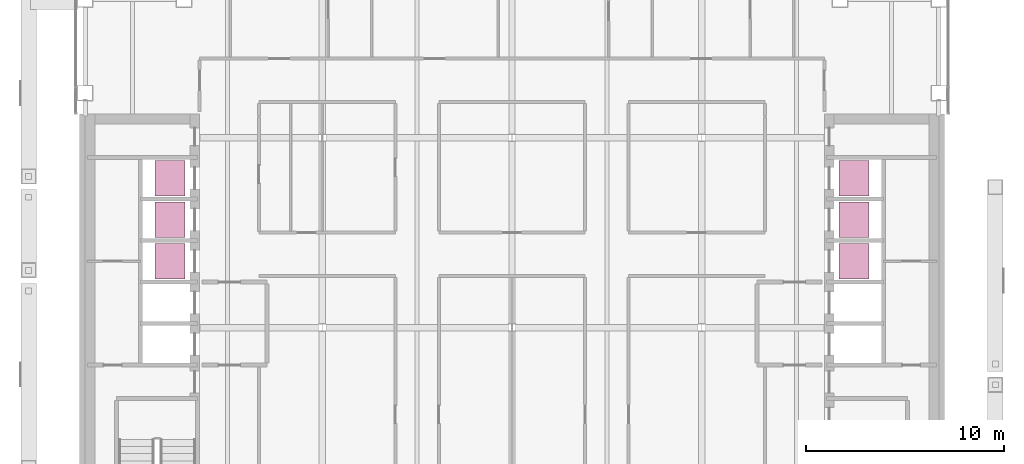
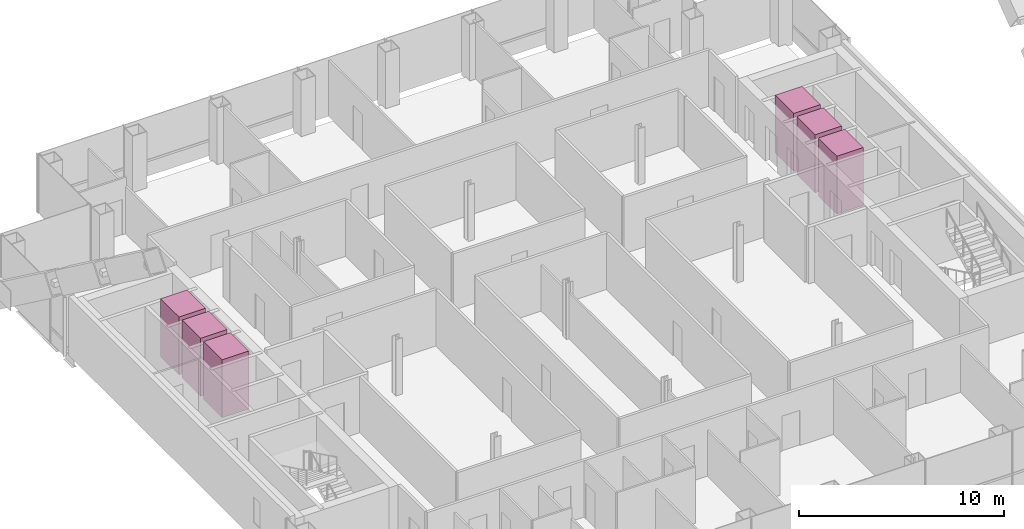
# One storey, part 17 of 17: 6 transport elements.
"""IFC4 building model written with IfcOpenShell, lengths in metres."""

from ifc_helpers import new_model, si_unit, direction, frame, origin, origin_2d, place, context, subcontext, project, spatial, rectangle, extrude, material, type_object, element, save


model = new_model("IFC4")

# Units and contexts
model_context = context("Model", 3, precision=1e-05, world=origin(), true_north=direction((0.0, 1.0)))
body_context = subcontext(model_context, "Body", "Model", "MODEL_VIEW")
ifc_project = project(units=[si_unit("LENGTHUNIT", "METRE"), si_unit("AREAUNIT", "SQUARE_METRE"), si_unit("VOLUMEUNIT", "CUBIC_METRE"), si_unit("PLANEANGLEUNIT", "RADIAN"), si_unit("MASSUNIT", "GRAM", prefix="KILO")], contexts=[model_context])

# Site, building, storey
site_placement = place(None, origin())
site = spatial("IfcSite", under=ifc_project, at=site_placement, CompositionType="ELEMENT")
building_placement = place(site_placement, origin())
building = spatial("IfcBuilding", under=site, at=building_placement, Name="Cobrizo Arcos Hotel Tower", CompositionType="ELEMENT")
storey_placement = place(building_placement, frame((0.0, 0.0, 151.5)))
storey = spatial("IfcBuildingStorey", under=building, at=storey_placement, Name="L38", CompositionType="ELEMENT", Elevation=151.5)

# Transport elements
ifc_material = material(Name="Stainless steel car", Category="steel")
transport_element_type = type_object("IfcTransportElementType", Name="Lift car High 1.8x1.5", PredefinedType="ELEVATOR", material=ifc_material)
for number, where, z_axis, x_axis, name in (
    (1, (-17.300048828125, 3.35009765625, 0.0), (0.0, 0.0, 1.0), (1.0, 0.0, 0.0), "High-rise passenger lift W1"),
    (2, (-17.300048828125, 5.449951171875, 0.0), (0.0, 0.0, 1.0), (1.0, 0.0, 0.0), "High-rise passenger lift W2"),
    (3, (-17.300048828125, 7.550048828125, 0.0), (0.0, 0.0, 1.0), (1.0, 0.0, 0.0), "High-rise passenger lift W3"),
    (4, (17.300048828125, 3.35009765625, 0.0), (0.0, 0.0, 1.0), (1.0, 0.0, 0.0), "High-rise passenger lift E1"),
    (5, (17.300048828125, 5.449951171875, 0.0), (0.0, 0.0, 1.0), (1.0, 0.0, 0.0), "High-rise passenger lift E2"),
    (6, (17.300048828125, 7.550048828125, 0.0), (0.0, 0.0, 1.0), (1.0, 0.0, 0.0), "High-rise passenger lift E3"),
):
    element("IfcTransportElement", number, at=place(storey_placement, frame(where, z_axis=z_axis, x_axis=x_axis)), inside=storey, type_object=transport_element_type, Name=name, PredefinedType="ELEVATOR", context=body_context, shape_type="SweptSolid", body=[
        extrude(rectangle(XDim=1.5, YDim=1.800048828125, at=origin_2d()), origin(), (0.0, 0.0, 1.0), 3.449951171875),
    ])

save(model, "model.ifc")
